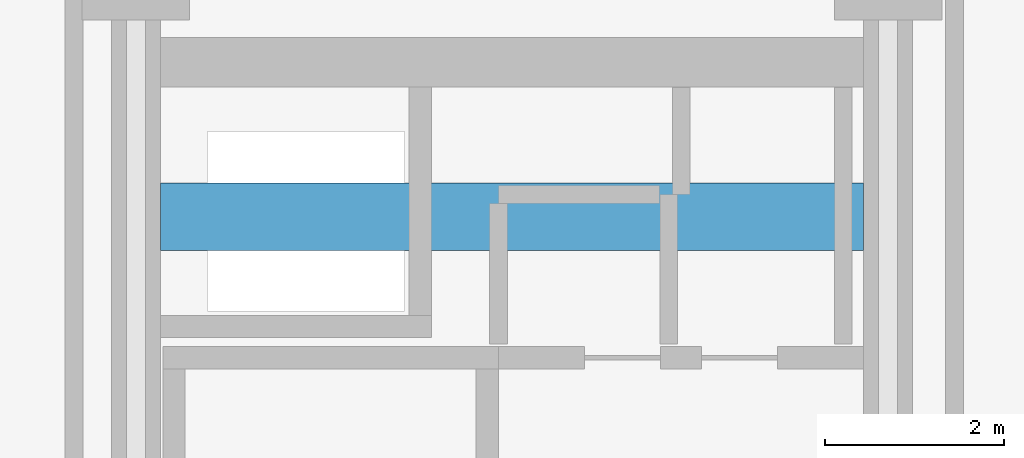
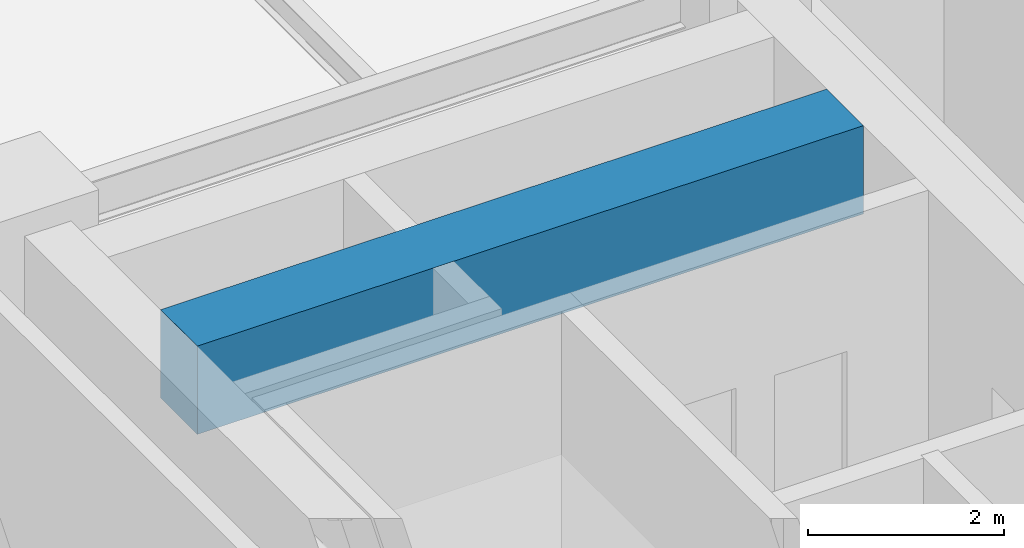
# One storey, part 24 of 39: 1 beam.
"""IFC4 building model written with IfcOpenShell, lengths in metres."""

from ifc_helpers import new_model, si_unit, direction, frame, origin, origin_2d, place, context, subcontext, project, spatial, rectangle, extrude, material, material_profile, profile_set, type_object, element, save


model = new_model("IFC4")

# Units and contexts
model_context = context("Model", 3, precision=1e-05, world=origin(), true_north=direction((0.0, 1.0)))
body_context = subcontext(model_context, "Body", "Model", "MODEL_VIEW")
ifc_project = project(units=[si_unit("LENGTHUNIT", "METRE"), si_unit("AREAUNIT", "SQUARE_METRE"), si_unit("VOLUMEUNIT", "CUBIC_METRE"), si_unit("PLANEANGLEUNIT", "RADIAN"), si_unit("MASSUNIT", "GRAM", prefix="KILO")], contexts=[model_context])

# Site, building, storey
site_placement = place(None, origin())
site = spatial("IfcSite", under=ifc_project, at=site_placement, CompositionType="ELEMENT")
building_placement = place(site_placement, origin())
building = spatial("IfcBuilding", under=site, at=building_placement, Name="Nerrivon Quay Data Exchange", CompositionType="ELEMENT")
storey_placement = place(building_placement, frame((0.0, 0.0, 104.89990234375)))
storey = spatial("IfcBuildingStorey", under=building, at=storey_placement, Name="L24", CompositionType="ELEMENT", Elevation=104.89990234375)

# Beam
ifc_material = material(Name="Concrete S65 (65 MPa)", Category="concrete")
ifc_material_profile = material_profile(ifc_material, rectangle(XDim=0.75, YDim=1.10009765625, at=origin_2d()), Name="RC-CB-750x1100")
ifc_profile_set = profile_set([ifc_material_profile], Name="Concrete S65 (65 MPa)")
beam_type = type_object("IfcBeamType", Name="BM-CB1-750x1100", PredefinedType="LINTEL", material=ifc_profile_set)
beam_placement = place(storey_placement, frame((8.675048828125, 39.199951171875, 3.275146484375), z_axis=(1.0, 0.0, 0.0), x_axis=(0.0, 1.0, 0.0)))
element("IfcBeam", 1, at=beam_placement, inside=storey, type_object=beam_type, Name="L24 West Core Coupling Beam", PredefinedType="LINTEL", context=body_context, shape_type="SweptSolid", body=[
    extrude(rectangle(XDim=0.75, YDim=1.10009765625, at=origin_2d()), origin(), (0.0, 0.0, 1.0), 7.849853515625),
])

save(model, "model.ifc")
